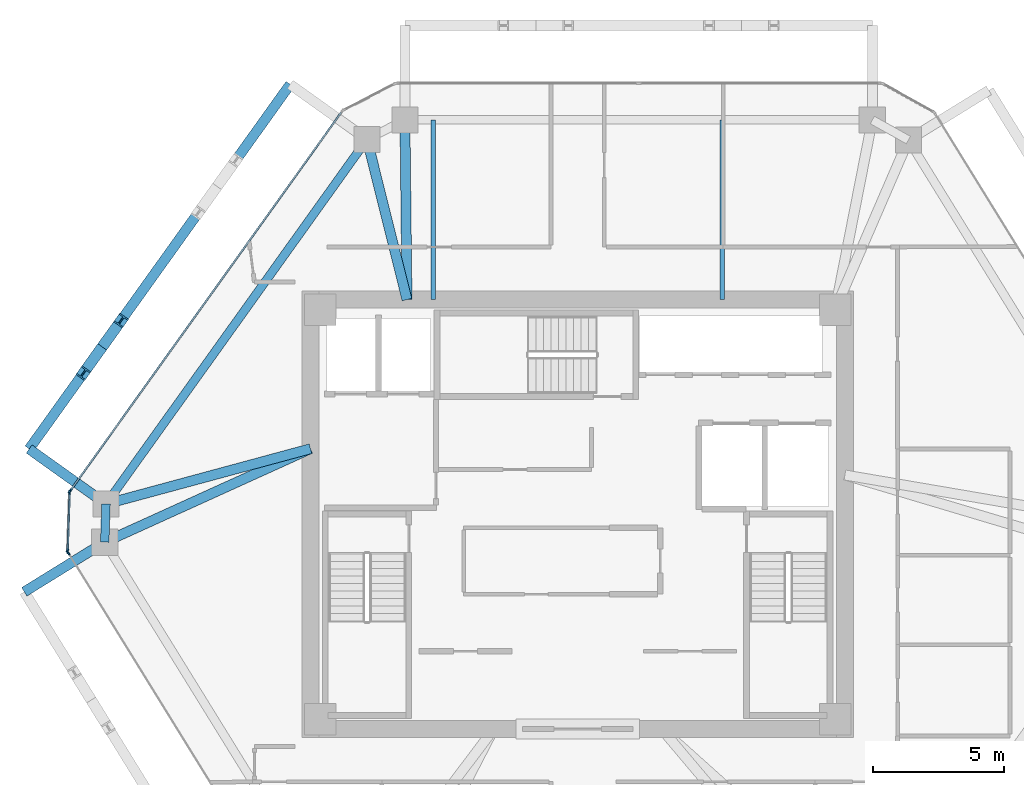
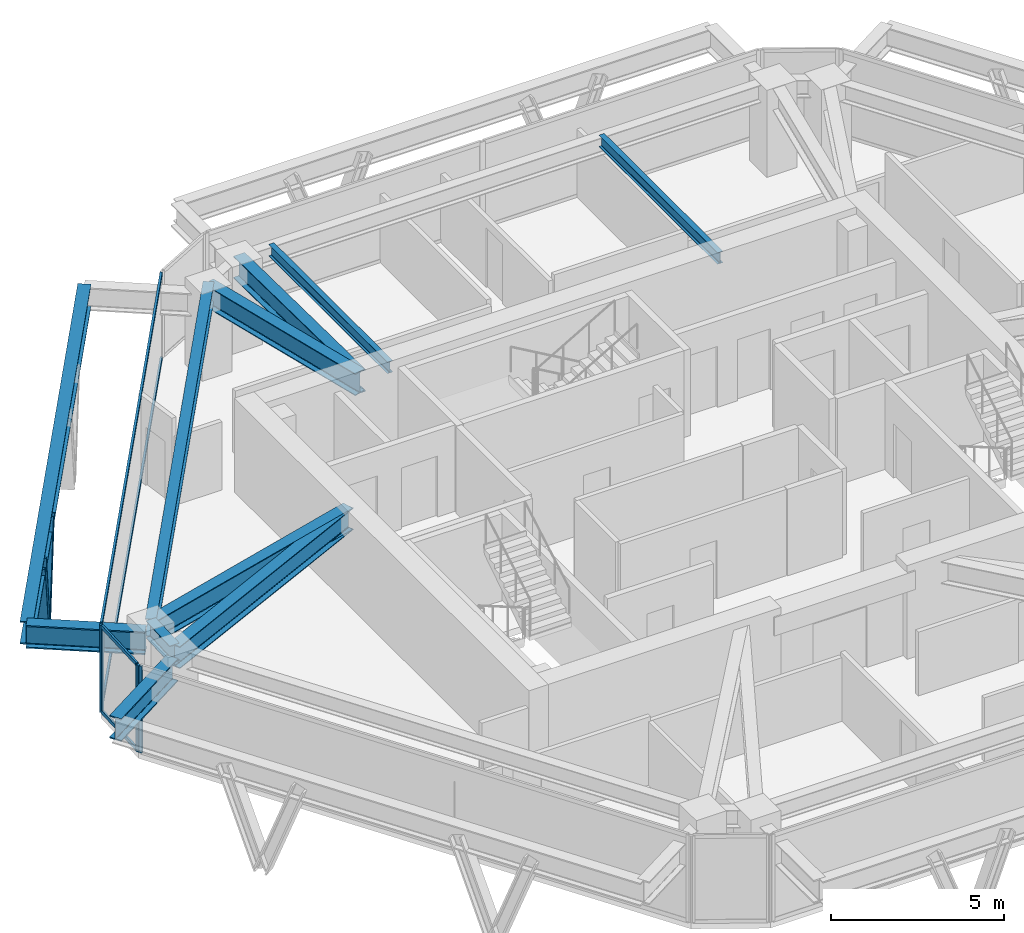
# One storey, part 4 of 11: 11 beams, 10 members, 3 elements without a shape of their own.
"""IFC4 building model written with IfcOpenShell, lengths in metres."""

import ifcopenshell
import ifcopenshell.guid

model = None  # the IFC model being written
_history = None  # IfcOwnerHistory: only IFC2X3 demands one
_inside = {}  # id of a spatial element -> (the spatial element, [elements in it])
_under = {}  # id of a project, library or spatial element -> (it, [spatial elements below it])
_declared = {}  # id of a project -> (the project, [libraries it declares])
_typed = {}  # id of a type object -> (the type object, [elements of that type])
_made_of = {}  # id of a material, layer set ... -> (it, [elements and type objects made of it])


def new_model(schema):
    """Start an empty IFC model of exactly this schema.

    Asked for "IFC4X3", IfcOpenShell would pick the latest addendum, in which some entities
    have other attributes; the version numbers below select the first issue.
    IFC2X3 requires an IfcOwnerHistory on every rooted entity: one is made here for all.
    """
    global model, _history
    if schema == "IFC4X3":
        model = ifcopenshell.file(schema_version=(4, 3, 0, 0))
    else:
        model = ifcopenshell.file(schema=schema)
    _inside.clear()
    _under.clear()
    _declared.clear()
    _typed.clear()
    _made_of.clear()
    _history = None
    if model.schema == "IFC2X3":
        org = make("IfcOrganization", Name="unknown")
        user = make(
            "IfcPersonAndOrganization",
            ThePerson=make("IfcPerson", FamilyName="unknown"),
            TheOrganization=org,
        )
        app = make(
            "IfcApplication",
            ApplicationDeveloper=org,
            Version="unknown",
            ApplicationFullName="unknown",
            ApplicationIdentifier="unknown",
        )
        _history = make(
            "IfcOwnerHistory",
            OwningUser=user,
            OwningApplication=app,
            ChangeAction="ADDED",
            CreationDate=0,
        )
    return model


def make(cls, **values):
    """One entity of the class cls with the attributes given. An attribute that is None is left unset."""
    return model.create_entity(
        cls, **{name: value for name, value in values.items() if value is not None}
    )


def rooted(cls, **values):
    """An entity with a GlobalId (a new one), such as an element, a storey or a relation."""
    return make(cls, GlobalId=ifcopenshell.guid.new(), OwnerHistory=_history, **values)


def si_unit(unit_type, name, prefix=None):
    """IfcSIUnit, for example si_unit("LENGTHUNIT", "METRE", prefix="MILLI")."""
    return make("IfcSIUnit", UnitType=unit_type, Prefix=prefix, Name=name)


def assignment(units):
    """IfcUnitAssignment: the units of a project."""
    return None if units is None else make("IfcUnitAssignment", Units=units)


def point(xyz):
    """IfcCartesianPoint."""
    return None if xyz is None else make("IfcCartesianPoint", Coordinates=xyz)


def direction(xyz):
    """IfcDirection."""
    return None if xyz is None else make("IfcDirection", DirectionRatios=xyz)


def frame(location, z_axis=None, x_axis=None):
    """IfcAxis2Placement3D, a coordinate frame: its origin and axes. An axis left out is left unset."""
    return make(
        "IfcAxis2Placement3D",
        Location=point(location),
        Axis=direction(z_axis),
        RefDirection=direction(x_axis),
    )


def frame_2d(location, x_axis=None):
    """IfcAxis2Placement2D, a coordinate frame in the plane: its origin and x axis."""
    return make(
        "IfcAxis2Placement2D", Location=point(location), RefDirection=direction(x_axis)
    )


def origin():
    """The frame at (0, 0, 0) with its axes left unset."""
    return frame((0.0, 0.0, 0.0))


def origin_2d():
    """The frame at (0, 0) in the plane with its x axis left unset."""
    return frame_2d((0.0, 0.0))


def place(relative_to, where):
    """IfcLocalPlacement: puts the frame where relative to a parent placement (None: the world)."""
    return make(
        "IfcLocalPlacement", PlacementRelTo=relative_to, RelativePlacement=where
    )


def context(
    kind, dimensions, precision=None, world=None, true_north=None, identifier=None
):
    """IfcGeometricRepresentationContext, for example the 3D "Model" context."""
    return make(
        "IfcGeometricRepresentationContext",
        ContextIdentifier=identifier,
        ContextType=kind,
        CoordinateSpaceDimension=dimensions,
        Precision=precision,
        WorldCoordinateSystem=world,
        TrueNorth=true_north,
    )


def subcontext(parent, identifier, kind, view, scale=None):
    """IfcGeometricRepresentationSubContext, for example "Body" below "Model"."""
    return make(
        "IfcGeometricRepresentationSubContext",
        ContextIdentifier=identifier,
        ContextType=kind,
        ParentContext=parent,
        TargetScale=scale,
        TargetView=view,
    )


def project(units=None, contexts=None):
    """IfcProject with its units and contexts."""
    return rooted(
        "IfcProject",
        Name="project",
        RepresentationContexts=contexts,
        UnitsInContext=assignment(units),
    )


def spatial(cls, under=None, at=None, **own):
    """A site, building, storey or space (cls), placed at a placement, below another one or the project."""
    s = rooted(cls, ObjectPlacement=at, **own)
    if under is not None:
        _under.setdefault(under.id(), (under, []))[1].append(s)
    return s


def profile(cls, at=None, kind="AREA", **sizes):
    """A parametric profile (cls). Its sizes go by their IFC names, for example OverallWidth=200.0."""
    return make(cls, ProfileType=kind, Position=at, **sizes)


def rectangle(**sizes):
    """IfcRectangleProfileDef."""
    return profile("IfcRectangleProfileDef", **sizes)


def i_section(**sizes):
    """IfcIShapeProfileDef."""
    return profile("IfcIShapeProfileDef", **sizes)


def extrude(swept, where, along, depth):
    """IfcExtrudedAreaSolid: the profile swept, set in the frame where, extruded along a direction by depth."""
    return make(
        "IfcExtrudedAreaSolid",
        SweptArea=swept,
        Position=where,
        ExtrudedDirection=direction(along),
        Depth=depth,
    )


def shape(context_of_items, identifier, shape_type, items):
    """IfcShapeRepresentation: the items that make up one representation, for example the "Body"."""
    return make(
        "IfcShapeRepresentation",
        ContextOfItems=context_of_items,
        RepresentationIdentifier=identifier,
        RepresentationType=shape_type,
        Items=items,
    )


def source(mapping_origin, context_of_items, identifier, shape_type, items):
    """IfcRepresentationMap: a shape defined once, which mapped items show again and again."""
    return make(
        "IfcRepresentationMap",
        MappingOrigin=mapping_origin,
        MappedRepresentation=shape(context_of_items, identifier, shape_type, items),
    )


def transform(
    local_origin,
    x_axis=None,
    y_axis=None,
    z_axis=None,
    scale=None,
    scale2=None,
    scale3=None,
    uniform=True,
):
    """IfcCartesianTransformationOperator3D, or its non-uniform kind. x_axis, y_axis, z_axis: its Axis1, 2, 3."""
    if uniform:
        return make(
            "IfcCartesianTransformationOperator3D",
            Axis1=direction(x_axis),
            Axis2=direction(y_axis),
            LocalOrigin=point(local_origin),
            Scale=scale,
            Axis3=direction(z_axis),
        )
    return make(
        "IfcCartesianTransformationOperator3DnonUniform",
        Axis1=direction(x_axis),
        Axis2=direction(y_axis),
        LocalOrigin=point(local_origin),
        Scale=scale,
        Axis3=direction(z_axis),
        Scale2=scale2,
        Scale3=scale3,
    )


def mapped(mapping_source, mapping_target):
    """IfcMappedItem: shows the shape of a source again, moved by a transform."""
    return make(
        "IfcMappedItem", MappingSource=mapping_source, MappingTarget=mapping_target
    )


def material(Name=None, Category=None):
    """IfcMaterial."""
    return make("IfcMaterial", Name=Name, Category=Category)


def layer(
    of_material, thickness, ventilated=None, Name=None, Category=None, Priority=None
):
    """IfcMaterialLayer: one layer of a wall or slab, of a material (None: an air gap)."""
    return make(
        "IfcMaterialLayer",
        Material=of_material,
        LayerThickness=thickness,
        IsVentilated=ventilated,
        Name=Name,
        Category=Category,
        Priority=Priority,
    )


def layer_set(layers, Name=None):
    """IfcMaterialLayerSet."""
    return make("IfcMaterialLayerSet", MaterialLayers=layers, LayerSetName=Name)


def material_profile(
    of_material, cross_section, Name=None, Category=None, Priority=None
):
    """IfcMaterialProfile: a cross section and its material."""
    return make(
        "IfcMaterialProfile",
        Name=Name,
        Material=of_material,
        Profile=cross_section,
        Priority=Priority,
        Category=Category,
    )


def profile_set(profiles, Name=None, composite=None):
    """IfcMaterialProfileSet."""
    return make(
        "IfcMaterialProfileSet",
        Name=Name,
        MaterialProfiles=profiles,
        CompositeProfile=composite,
    )


def made_of(thing, what):
    """Note that an element or type object is made of a material, layer set ...; save() writes the relation."""
    if what is not None:
        _made_of.setdefault(what.id(), (what, []))[1].append(thing)
    return thing


def type_object(cls, material=None, **own):
    """A type object (cls), such as IfcWallType, which elements share."""
    return made_of(rooted(cls, **own), material)


def type_shapes(of_type, sources):
    """Give a type object the sources (RepresentationMaps) that its elements show as mapped items."""
    of_type.RepresentationMaps = sources


def element(
    cls,
    number,
    at=None,
    inside=None,
    cuts=None,
    type_object=None,
    material=None,
    context=None,
    identifier="Body",
    shape_type=None,
    held_by="IfcProductDefinitionShape",
    body=None,
    shapes=None,
    **own,
):
    """One element of the class cls, such as IfcWall. Its Tag is "e" and its number.

    at: its placement. inside: the storey or other place that contains it. cuts: it is an
    opening in that element (IfcRelVoidsElement). A single representation is given by context,
    identifier, shape_type and body (its items); several are given by shapes. held_by: the class
    of the entity that holds the representations. save() writes the other relations.
    """
    e = rooted(cls, Tag="e%d" % number, ObjectPlacement=at, **own)
    if body is not None:
        shapes = [shape(context, identifier, shape_type, body)]
    if shapes is not None:
        e.Representation = make(held_by, Representations=shapes)
    if inside is not None:
        _inside.setdefault(inside.id(), (inside, []))[1].append(e)
    if cuts is not None:
        rooted(
            "IfcRelVoidsElement", RelatingBuildingElement=cuts, RelatedOpeningElement=e
        )
    if type_object is not None:
        _typed.setdefault(type_object.id(), (type_object, []))[1].append(e)
    return made_of(e, material)


def aggregate(whole, parts):
    """IfcRelAggregates: a whole, such as a stair, and the parts it consists of."""
    return rooted("IfcRelAggregates", RelatingObject=whole, RelatedObjects=parts)


def save(model, path):
    """Write the relations noted so far, then the file.

    IfcRelAggregates (storeys below a building ...), IfcRelContainedInSpatialStructure (elements
    in a storey), IfcRelDefinesByType, IfcRelAssociatesMaterial and IfcRelDeclares: one each for
    every whole, place, type object, material and project.
    """
    for whole, parts in _under.values():
        aggregate(whole, parts)
    for where, things in _inside.values():
        rooted(
            "IfcRelContainedInSpatialStructure",
            RelatedElements=things,
            RelatingStructure=where,
        )
    for kind, things in _typed.values():
        rooted("IfcRelDefinesByType", RelatedObjects=things, RelatingType=kind)
    for what, things in _made_of.values():
        rooted("IfcRelAssociatesMaterial", RelatedObjects=things, RelatingMaterial=what)
    for by, libraries in _declared.values():
        rooted("IfcRelDeclares", RelatingContext=by, RelatedDefinitions=libraries)
    model.write(path)


model = new_model("IFC4")

# Units and contexts
model_context = context("Model", 3, precision=1e-05, world=origin(), true_north=direction((0.0, 1.0)))
body_context = subcontext(model_context, "Body", "Model", "MODEL_VIEW")
ifc_project = project(units=[si_unit("LENGTHUNIT", "METRE"), si_unit("AREAUNIT", "SQUARE_METRE"), si_unit("VOLUMEUNIT", "CUBIC_METRE"), si_unit("PLANEANGLEUNIT", "RADIAN"), si_unit("MASSUNIT", "GRAM", prefix="KILO")], contexts=[model_context])

# Site, building, storey
site_placement = place(None, origin())
site = spatial("IfcSite", under=ifc_project, at=site_placement, CompositionType="ELEMENT")
building_placement = place(site_placement, origin())
building = spatial("IfcBuilding", under=site, at=building_placement, Name="Durnholm Broadcast Tower", CompositionType="ELEMENT")
storey_placement = place(building_placement, frame((0.0, 0.0, 196.89990234375)))
storey = spatial("IfcBuildingStorey", under=building, at=storey_placement, Name="L54", CompositionType="ELEMENT", Elevation=196.89990234375)

# Beams
ifc_material_1 = material(Name="Steel ASTM A992 Grade 50", Category="steel")
ifc_material_profile_1 = material_profile(ifc_material_1, i_section(OverallWidth=0.385009765625, OverallDepth=0.802978515625, WebThickness=0.023681640625, FlangeThickness=0.0419921875, FilletRadius=0.032958984375, at=origin_2d()), Name="W30X261")
ifc_profile_set_1 = profile_set([ifc_material_profile_1], Name="Steel ASTM A992 Grade 50")
beam_type_1 = type_object("IfcBeamType", Name="BM-EXO-TIE", PredefinedType="USERDEFINED", material=ifc_profile_set_1)
shared_shape_1 = source(origin(), body_context, "Body", "SweptSolid", [
    extrude(i_section(OverallWidth=0.385009765625, OverallDepth=0.802978515625, WebThickness=0.023681640625, FlangeThickness=0.0419921875, FilletRadius=0.032958984375, at=origin_2d()), origin(), (0.0, 0.0, 1.0), 3.4560546875),
])
beam_1_placement = place(storey_placement, frame((-18.131591796875, -1.13232421875, 2.30859375), z_axis=(-0.850662348375, -0.525712439512, 0.0), x_axis=(0.525712439512, -0.850662348375, 0.0)))
element("IfcBeam", 1, at=beam_1_placement, inside=storey, type_object=beam_type_1, Name="L54 exoskeleton stand-off tie bracket F6.1", ObjectType="GIRDER", PredefinedType="USERDEFINED", context=body_context, shape_type="MappedRepresentation", body=[
    mapped(shared_shape_1, transform((0.0, 0.0, 0.0), x_axis=(1.0, 0.0, 0.0), y_axis=(0.0, 1.0, 0.0), z_axis=(0.0, 0.0, 1.0), scale=1.0)),
])
shared_shape_2 = source(origin(), body_context, "Body", "SweptSolid", [
    extrude(i_section(OverallWidth=0.385009765625, OverallDepth=0.802978515625, WebThickness=0.023681640625, FlangeThickness=0.0419921875, FilletRadius=0.032958984375, at=origin_2d()), origin(), (0.0, 0.0, 1.0), 3.455810546875),
])
beam_2_placement = place(storey_placement, frame((-18.076904296875, 0.4794921875, 2.30859375), z_axis=(-0.813112485828, 0.582106592808, 0.0), x_axis=(-0.582106592808, -0.813112485828, 0.0)))
element("IfcBeam", 2, at=beam_2_placement, inside=storey, type_object=beam_type_1, Name="L54 exoskeleton stand-off tie bracket F5.2", ObjectType="GIRDER", PredefinedType="USERDEFINED", context=body_context, shape_type="MappedRepresentation", body=[
    mapped(shared_shape_2, transform((0.0, 0.0, 0.0), x_axis=(1.0, 0.0, 0.0), y_axis=(0.0, 1.0, 0.0), z_axis=(0.0, 0.0, 1.0), scale=1.0)),
])
ifc_material_profile_2 = material_profile(ifc_material_1, i_section(OverallWidth=0.3251953125, OverallDepth=0.6162109375, WebThickness=0.013916015625, FlangeThickness=0.021484375, FilletRadius=0.02783203125, at=origin_2d()), Name="W24X117")
ifc_profile_set_2 = profile_set([ifc_material_profile_2], Name="Steel ASTM A992 Grade 50")
beam_type_2 = type_object("IfcBeamType", Name="STL-SP-W24X117", PredefinedType="SPANDREL", material=ifc_profile_set_2)
shared_shape_3 = source(origin(), body_context, "Body", "SweptSolid", [
    extrude(i_section(OverallWidth=0.3251953125, OverallDepth=0.6162109375, WebThickness=0.013916015625, FlangeThickness=0.021484375, FilletRadius=0.02783203125, at=origin_2d()), origin(), (0.0, 0.0, 1.0), 1.452880859375),
])
beam_3_placement = place(storey_placement, frame((-18.009033203125, -1.056640625, 2.737060546875), z_axis=(0.03377359304, 0.999429509477, 0.0), x_axis=(-0.999429509477, 0.03377359304, 0.0)))
element("IfcBeam", 3, at=beam_3_placement, inside=storey, type_object=beam_type_2, Name="L54 perimeter spandrel girder 02", PredefinedType="SPANDREL", context=body_context, shape_type="MappedRepresentation", body=[
    mapped(shared_shape_3, transform((0.0, 0.0, 0.0), x_axis=(1.0, 0.0, 0.0), y_axis=(0.0, 1.0, 0.0), z_axis=(0.0, 0.0, 1.0), scale=1.0)),
])
shared_shape_4 = source(origin(), body_context, "Body", "SweptSolid", [
    extrude(i_section(OverallWidth=0.3251953125, OverallDepth=0.6162109375, WebThickness=0.013916015625, FlangeThickness=0.021484375, FilletRadius=0.02783203125, at=origin_2d()), origin(), (0.0, 0.0, 1.0), 17.07177734375),
])
type_shapes(beam_type_2, [shared_shape_3, shared_shape_4])
beam_4_placement = place(storey_placement, frame((-17.9599609375, 0.3955078125, 2.737060546875), z_axis=(0.582142843258, 0.813086532937, 0.0), x_axis=(-0.813086532937, 0.582142843258, 0.0)))
element("IfcBeam", 4, at=beam_4_placement, inside=storey, type_object=beam_type_2, Name="L54 perimeter spandrel girder 03", PredefinedType="SPANDREL", context=body_context, shape_type="MappedRepresentation", body=[
    mapped(shared_shape_4, transform((0.0, 0.0, 0.0), x_axis=(1.0, 0.0, 0.0), y_axis=(0.0, 1.0, 0.0), z_axis=(0.0, 0.0, 1.0), scale=1.0)),
])
shared_shape_5 = source(origin(), body_context, "Body", "SweptSolid", [
    extrude(i_section(OverallWidth=0.385009765625, OverallDepth=0.802978515625, WebThickness=0.023681640625, FlangeThickness=0.0419921875, FilletRadius=0.032958984375, at=origin_2d()), origin(), (0.0, 0.0, 1.0), 17.07177734375),
])
type_shapes(beam_type_1, [shared_shape_1, shared_shape_2, shared_shape_5])
beam_5_placement = place(storey_placement, frame((-10.948974609375, 16.3720703125, 2.30859375), z_axis=(-0.582133388739, -0.813093301974, 0.0), x_axis=(0.813093301974, -0.582133388739, 0.0)))
element("IfcBeam", 5, at=beam_5_placement, inside=storey, type_object=beam_type_1, Name="L54 exoskeleton collector spandrel F5", PredefinedType="SPANDREL", context=body_context, shape_type="MappedRepresentation", body=[
    mapped(shared_shape_5, transform((0.0, 0.0, 0.0), x_axis=(1.0, 0.0, 0.0), y_axis=(0.0, 1.0, 0.0), z_axis=(0.0, 0.0, 1.0), scale=1.0)),
])
ifc_material_profile_3 = material_profile(ifc_material_1, i_section(OverallWidth=0.380615234375, OverallDepth=0.773193359375, WebThickness=0.0166015625, FlangeThickness=0.027099609375, FilletRadius=0.032958984375, at=origin_2d()), Name="W30X173")
ifc_profile_set_3 = profile_set([ifc_material_profile_3], Name="Steel ASTM A992 Grade 50")
beam_type_3 = type_object("IfcBeamType", Name="STL-GR-W30X173", PredefinedType="USERDEFINED", material=ifc_profile_set_3)
shared_shape_6 = source(origin(), body_context, "Body", "SweptSolid", [
    extrude(i_section(OverallWidth=0.380615234375, OverallDepth=0.773193359375, WebThickness=0.0166015625, FlangeThickness=0.027099609375, FilletRadius=0.032958984375, at=origin_2d()), origin(), (0.0, 0.0, 1.0), 8.603515625),
])
beam_6_placement = place(storey_placement, frame((-10.175048828125, 2.5, 2.658447265625), z_axis=(-0.910552971728, -0.413392411248, 0.0), x_axis=(0.413392411248, -0.910552971728, 0.0)))
element("IfcBeam", 6, at=beam_6_placement, inside=storey, type_object=beam_type_3, Name="L54 radial primary floor girder 02", ObjectType="GIRDER", PredefinedType="USERDEFINED", context=body_context, shape_type="MappedRepresentation", body=[
    mapped(shared_shape_6, transform((0.0, 0.0, 0.0), x_axis=(1.0, 0.0, 0.0), y_axis=(0.0, 1.0, 0.0), z_axis=(0.0, 0.0, 1.0), scale=1.0)),
])
shared_shape_7 = source(origin(), body_context, "Body", "SweptSolid", [
    extrude(i_section(OverallWidth=0.380615234375, OverallDepth=0.773193359375, WebThickness=0.0166015625, FlangeThickness=0.027099609375, FilletRadius=0.032958984375, at=origin_2d()), origin(), (0.0, 0.0, 1.0), 8.064453125),
])
beam_7_placement = place(storey_placement, frame((-10.175048828125, 2.5, 2.658447265625), z_axis=(-0.96534896552, -0.260962401066, 0.0), x_axis=(0.260962401066, -0.96534896552, 0.0)))
element("IfcBeam", 7, at=beam_7_placement, inside=storey, type_object=beam_type_3, Name="L54 radial primary floor girder 03", ObjectType="GIRDER", PredefinedType="USERDEFINED", context=body_context, shape_type="MappedRepresentation", body=[
    mapped(shared_shape_7, transform((0.0, 0.0, 0.0), x_axis=(1.0, 0.0, 0.0), y_axis=(0.0, 1.0, 0.0), z_axis=(0.0, 0.0, 1.0), scale=1.0)),
])
shared_shape_8 = source(origin(), body_context, "Body", "SweptSolid", [
    extrude(i_section(OverallWidth=0.380615234375, OverallDepth=0.773193359375, WebThickness=0.0166015625, FlangeThickness=0.027099609375, FilletRadius=0.032958984375, at=origin_2d()), origin(), (0.0, 0.0, 1.0), 6.288330078125),
])
beam_8_placement = place(storey_placement, frame((-6.5, 8.175048828125, 2.658447265625), z_axis=(-0.241996604408, 0.970277096223, 0.0), x_axis=(-0.970277096223, -0.241996604408, 0.0)))
element("IfcBeam", 8, at=beam_8_placement, inside=storey, type_object=beam_type_3, Name="L54 radial primary floor girder 04", ObjectType="GIRDER", PredefinedType="USERDEFINED", context=body_context, shape_type="MappedRepresentation", body=[
    mapped(shared_shape_8, transform((0.0, 0.0, 0.0), x_axis=(1.0, 0.0, 0.0), y_axis=(0.0, 1.0, 0.0), z_axis=(0.0, 0.0, 1.0), scale=1.0)),
])
shared_shape_9 = source(origin(), body_context, "Body", "SweptSolid", [
    extrude(i_section(OverallWidth=0.380615234375, OverallDepth=0.773193359375, WebThickness=0.0166015625, FlangeThickness=0.027099609375, FilletRadius=0.032958984375, at=origin_2d()), origin(), (0.0, 0.0, 1.0), 6.843505859375),
])
type_shapes(beam_type_3, [shared_shape_6, shared_shape_7, shared_shape_8, shared_shape_9])
beam_9_placement = place(storey_placement, frame((-6.5, 8.175048828125, 2.658447265625), z_axis=(-0.011487343604, 0.999934018292, 0.0), x_axis=(-0.999934018292, -0.011487343604, 0.0)))
element("IfcBeam", 9, at=beam_9_placement, inside=storey, type_object=beam_type_3, Name="L54 radial primary floor girder 05", ObjectType="GIRDER", PredefinedType="USERDEFINED", context=body_context, shape_type="MappedRepresentation", body=[
    mapped(shared_shape_9, transform((0.0, 0.0, 0.0), x_axis=(1.0, 0.0, 0.0), y_axis=(0.0, 1.0, 0.0), z_axis=(0.0, 0.0, 1.0), scale=1.0)),
])
ifc_material_profile_4 = material_profile(ifc_material_1, i_section(OverallWidth=0.177734375, OverallDepth=0.40673828125, WebThickness=0.0078125, FlangeThickness=0.0126953125, FilletRadius=0.01904296875, at=origin_2d()), Name="W16X40")
ifc_profile_set_4 = profile_set([ifc_material_profile_4], Name="Steel ASTM A992 Grade 50")
beam_type_4 = type_object("IfcBeamType", Name="STL-BJ-W16X40", PredefinedType="JOIST", material=ifc_profile_set_4)
shared_shape_10 = source(origin(), body_context, "Body", "SweptSolid", [
    extrude(i_section(OverallWidth=0.177734375, OverallDepth=0.40673828125, WebThickness=0.0078125, FlangeThickness=0.0126953125, FilletRadius=0.01904296875, at=origin_2d()), origin(), (0.0, 0.0, 1.0), 6.843017578125),
])
type_shapes(beam_type_4, [shared_shape_10])
for number, where, z_axis, x_axis, name in (
    (10, (-5.5, 8.175048828125, 2.841796875), (0.0, 1.0, 0.0), (-1.0, 0.0, 0.0), "L54 secondary floor joist 3.2"),
    (11, (5.5, 8.175048828125, 2.841796875), (0.0, 1.0, 0.0), (-1.0, 0.0, 0.0), "L54 secondary floor joist 4.2"),
):
    element("IfcBeam", number, at=place(storey_placement, frame(where, z_axis=z_axis, x_axis=x_axis)), inside=storey, type_object=beam_type_4, Name=name, PredefinedType="JOIST", context=body_context, shape_type="MappedRepresentation", body=[
        mapped(shared_shape_10, transform((0.0, 0.0, 0.0), x_axis=(1.0, 0.0, 0.0), y_axis=(0.0, 1.0, 0.0), z_axis=(0.0, 0.0, 1.0), scale=1.0)),
    ])

# Members
ifc_material_2 = material(Name="Steel ASTM A913 Grade 65", Category="steel")
ifc_material_profile_5 = material_profile(ifc_material_2, i_section(OverallWidth=0.412109375, OverallDepth=0.434814453125, WebThickness=0.035888671875, FlangeThickness=0.057373046875, FilletRadius=0.030517578125, at=origin_2d()), Name="W14X311")
ifc_profile_set_5 = profile_set([ifc_material_profile_5], Name="Steel ASTM A913 Grade 65")
member_type_1 = type_object("IfcMemberType", Name="STL-DG-W14X311", PredefinedType="BRACE", material=ifc_profile_set_5)
shared_shape_11 = source(origin(), body_context, "Body", "SweptSolid", [
    extrude(i_section(OverallWidth=0.412109375, OverallDepth=0.434814453125, WebThickness=0.035888671875, FlangeThickness=0.057373046875, FilletRadius=0.030517578125, at=origin_2d()), origin(), (0.0, 0.0, 1.0), 3.523193359375),
])
type_shapes(member_type_1, [shared_shape_11])
for number, where, z_axis, x_axis, name in (
    (12, (-18.1044921875, 6.3779296875, -0.991455078125), (0.203869234398, 0.284737826017, 0.936675880815), (-0.813077820009, 0.582155012526, 0.0), "L54 stand-off diagrid brace F5.D2.1"),
    (13, (-18.1044921875, 6.3779296875, -0.991455078125), (-0.203802816986, -0.284741848009, 0.936689111595), (0.813171482985, -0.58202417412, 0.0), "L54 stand-off diagrid brace F5.D2.2"),
):
    element("IfcMember", number, at=place(storey_placement, frame(where, z_axis=z_axis, x_axis=x_axis)), inside=storey, type_object=member_type_1, Name=name, PredefinedType="BRACE", context=body_context, shape_type="MappedRepresentation", body=[
        mapped(shared_shape_11, transform((0.0, 0.0, 0.0), x_axis=(1.0, 0.0, 0.0), y_axis=(0.0, 1.0, 0.0), z_axis=(0.0, 0.0, 1.0), scale=1.0)),
    ])

# Curtain wall, members
ifc_material_3 = material(Name="Aluminium and Solar Control IGU", Category="aluminium")
ifc_layer_1 = layer(ifc_material_3, 0.1650390625)
ifc_layer_set_1 = layer_set([ifc_layer_1], Name="Aluminium and Solar Control IGU")
curtain_wall_type_1 = type_object("IfcCurtainWallType", Name="CW-SYS-5", PredefinedType="NOTDEFINED", material=ifc_layer_set_1)
curtain_wall_1_placement = place(storey_placement, origin())
curtain_wall_1 = element("IfcCurtainWall", 14, at=curtain_wall_1_placement, inside=storey, type_object=curtain_wall_type_1, Name="L54 curtain wall CW-CORNER CW-L54-CRN-01", PredefinedType="NOTDEFINED")
ifc_material_4 = material(Name="Aluminium 6063-T6", Category="aluminium")
ifc_material_profile_6 = material_profile(ifc_material_4, rectangle(XDim=0.06494140625, YDim=0.1650390625, at=origin_2d()), Name="CWM65X165")
ifc_profile_set_6 = profile_set([ifc_material_profile_6], Name="Aluminium 6063-T6")
member_type_2 = type_object("IfcMemberType", Name="CW-SYS-5-MUL", PredefinedType="MULLION", material=ifc_profile_set_6)
shared_shape_12 = source(origin(), body_context, "Body", "SweptSolid", [
    extrude(rectangle(XDim=0.06494140625, YDim=0.1650390625, at=origin_2d()), origin(), (0.0, 0.0, 1.0), 3.06005859375),
])
type_shapes(member_type_2, [shared_shape_12])
member_1_placement = place(storey_placement, frame((-19.421630859375, -1.39990234375, 0.0), z_axis=(0.0, 0.0, 1.0), x_axis=(-0.999424798802, 0.033912704699, 0.0)))
member_1 = element("IfcMember", 15, at=member_1_placement, type_object=member_type_2, Name="CW-CORNER mullion 1", PredefinedType="MULLION", context=body_context, shape_type="MappedRepresentation", body=[
    mapped(shared_shape_12, transform((0.0, 0.0, 0.0), x_axis=(1.0, 0.0, 0.0), y_axis=(0.0, 1.0, 0.0), z_axis=(0.0, 0.0, 1.0), scale=1.0)),
])
member_2_placement = place(storey_placement, frame((-19.345703125, 0.833740234375, 0.0), z_axis=(0.0, 0.0, 1.0), x_axis=(-0.999424798802, 0.033912704699, 0.0)))
member_2 = element("IfcMember", 16, at=member_2_placement, type_object=member_type_2, Name="CW-CORNER mullion 2", PredefinedType="MULLION", context=body_context, shape_type="MappedRepresentation", body=[
    mapped(shared_shape_12, transform((0.0, 0.0, 0.0), x_axis=(1.0, 0.0, 0.0), y_axis=(0.0, 1.0, 0.0), z_axis=(0.0, 0.0, 1.0), scale=1.0)),
])
ifc_material_profile_7 = material_profile(ifc_material_4, rectangle(XDim=0.06494140625, YDim=0.1298828125, at=origin_2d()), Name="CWT65X130")
ifc_profile_set_7 = profile_set([ifc_material_profile_7], Name="Aluminium 6063-T6")
member_type_3 = type_object("IfcMemberType", Name="CW-SYS-5-TRN", PredefinedType="USERDEFINED", material=ifc_profile_set_7)
shared_shape_13 = source(origin(), body_context, "Body", "SweptSolid", [
    extrude(rectangle(XDim=0.06494140625, YDim=0.1298828125, at=origin_2d()), origin(), (0.0, 0.0, 1.0), 2.169921875),
])
type_shapes(member_type_3, [shared_shape_13])
member_3_placement = place(storey_placement, frame((-19.42041015625, -1.367431640625, 0.03271484375), z_axis=(0.033865512339, 0.999426399028, 0.0), x_axis=(-0.999426399028, 0.033865512339, 0.0)))
member_3 = element("IfcMember", 17, at=member_3_placement, type_object=member_type_3, Name="CW-CORNER transom 1.1", ObjectType="TRANSOM", PredefinedType="USERDEFINED", context=body_context, shape_type="MappedRepresentation", body=[
    mapped(shared_shape_13, transform((0.0, 0.0, 0.0), x_axis=(1.0, 0.0, 0.0), y_axis=(0.0, 1.0, 0.0), z_axis=(0.0, 0.0, 1.0), scale=1.0)),
])
member_4_placement = place(storey_placement, frame((-19.42041015625, -1.367431640625, 3.027587890625), z_axis=(0.033865512339, 0.999426399028, 0.0), x_axis=(-0.999426399028, 0.033865512339, 0.0)))
member_4 = element("IfcMember", 18, at=member_4_placement, type_object=member_type_3, Name="CW-CORNER transom 1.2", ObjectType="TRANSOM", PredefinedType="USERDEFINED", context=body_context, shape_type="MappedRepresentation", body=[
    mapped(shared_shape_13, transform((0.0, 0.0, 0.0), x_axis=(1.0, 0.0, 0.0), y_axis=(0.0, 1.0, 0.0), z_axis=(0.0, 0.0, 1.0), scale=1.0)),
])
aggregate(curtain_wall_1, [member_1, member_2, member_3, member_4])

ifc_layer_2 = layer(ifc_material_3, 0.18994140625)
ifc_layer_set_2 = layer_set([ifc_layer_2], Name="Aluminium and Solar Control IGU")
curtain_wall_type_2 = type_object("IfcCurtainWallType", Name="CW-SYS-4", PredefinedType="NOTDEFINED", material=ifc_layer_set_2)
curtain_wall_2_placement = place(storey_placement, origin())
curtain_wall_2 = element("IfcCurtainWall", 19, at=curtain_wall_2_placement, inside=storey, type_object=curtain_wall_type_2, Name="L54 curtain wall CW-Z34-VIS CW-L54-F02", PredefinedType="NOTDEFINED")
ifc_material_profile_8 = material_profile(ifc_material_4, rectangle(XDim=0.070068359375, YDim=0.14990234375, at=origin_2d()), Name="CWT70X150")
ifc_profile_set_8 = profile_set([ifc_material_profile_8], Name="Aluminium 6063-T6")
member_type_4 = type_object("IfcMemberType", Name="CW-SYS-4-TRN", PredefinedType="USERDEFINED", material=ifc_profile_set_8)
shared_shape_14 = source(origin(), body_context, "Body", "SweptSolid", [
    extrude(rectangle(XDim=0.070068359375, YDim=0.14990234375, at=origin_2d()), origin(), (0.0, 0.0, 1.0), 17.69384765625),
])
type_shapes(member_type_4, [shared_shape_14])
member_5_placement = place(storey_placement, frame((-19.303955078125, 0.923095703125, 0.03515625), z_axis=(0.582138438195, 0.813089686797, 0.0), x_axis=(-0.813089686797, 0.582138438195, 0.0)))
member_5 = element("IfcMember", 20, at=member_5_placement, type_object=member_type_4, Name="CW-Z34-VIS transom 1.1", ObjectType="TRANSOM", PredefinedType="USERDEFINED", context=body_context, shape_type="MappedRepresentation", body=[
    mapped(shared_shape_14, transform((0.0, 0.0, 0.0), x_axis=(1.0, 0.0, 0.0), y_axis=(0.0, 1.0, 0.0), z_axis=(0.0, 0.0, 1.0), scale=1.0)),
])
member_6_placement = place(storey_placement, frame((-19.303955078125, 0.923095703125, 3.025146484375), z_axis=(0.582138438195, 0.813089686797, 0.0), x_axis=(-0.813089686797, 0.582138438195, 0.0)))
member_6 = element("IfcMember", 21, at=member_6_placement, type_object=member_type_4, Name="CW-Z34-VIS transom 1.2", ObjectType="TRANSOM", PredefinedType="USERDEFINED", context=body_context, shape_type="MappedRepresentation", body=[
    mapped(shared_shape_14, transform((0.0, 0.0, 0.0), x_axis=(1.0, 0.0, 0.0), y_axis=(0.0, 1.0, 0.0), z_axis=(0.0, 0.0, 1.0), scale=1.0)),
])
ifc_material_profile_9 = material_profile(ifc_material_4, rectangle(XDim=0.070068359375, YDim=0.18994140625, at=origin_2d()), Name="CWM70X190")
ifc_profile_set_9 = profile_set([ifc_material_profile_9], Name="Aluminium 6063-T6")
member_type_5 = type_object("IfcMemberType", Name="CW-SYS-4-MUL", PredefinedType="MULLION", material=ifc_profile_set_9)
shared_shape_15 = source(origin(), body_context, "Body", "SweptSolid", [
    extrude(rectangle(XDim=0.070068359375, YDim=0.18994140625, at=origin_2d()), origin(), (0.0, 0.0, 1.0), 3.06005859375),
])
type_shapes(member_type_5, [shared_shape_15])
member_7_placement = place(storey_placement, frame((-19.32421875, 0.894775390625, 0.0), z_axis=(0.0, 0.0, 1.0), x_axis=(-0.813089262696, 0.582139030549, 0.0)))
member_7 = element("IfcMember", 22, at=member_7_placement, type_object=member_type_5, Name="CW-Z34-VIS mullion 1", PredefinedType="MULLION", context=body_context, shape_type="MappedRepresentation", body=[
    mapped(shared_shape_15, transform((0.0, 0.0, 0.0), x_axis=(1.0, 0.0, 0.0), y_axis=(0.0, 1.0, 0.0), z_axis=(0.0, 0.0, 1.0), scale=1.0)),
])
aggregate(curtain_wall_2, [member_7, member_5, member_6])

# Curtain wall, member
curtain_wall_3_placement = place(storey_placement, origin())
curtain_wall_3 = element("IfcCurtainWall", 23, at=curtain_wall_3_placement, inside=storey, type_object=curtain_wall_type_2, Name="L54 curtain wall CW-Z34-VIS CW-L54-F12", PredefinedType="NOTDEFINED")
member_8_placement = place(storey_placement, frame((-19.404296875, -1.462158203125, 0.0), z_axis=(0.0, 0.0, 1.0), x_axis=(-0.850671426092, -0.525697750452, 0.0)))
member_8 = element("IfcMember", 24, at=member_8_placement, type_object=member_type_5, Name="CW-Z34-VIS mullion 2", PredefinedType="MULLION", context=body_context, shape_type="MappedRepresentation", body=[
    mapped(shared_shape_15, transform((0.0, 0.0, 0.0), x_axis=(1.0, 0.0, 0.0), y_axis=(0.0, 1.0, 0.0), z_axis=(0.0, 0.0, 1.0), scale=1.0)),
])
aggregate(curtain_wall_3, [member_8])

save(model, "model.ifc")
